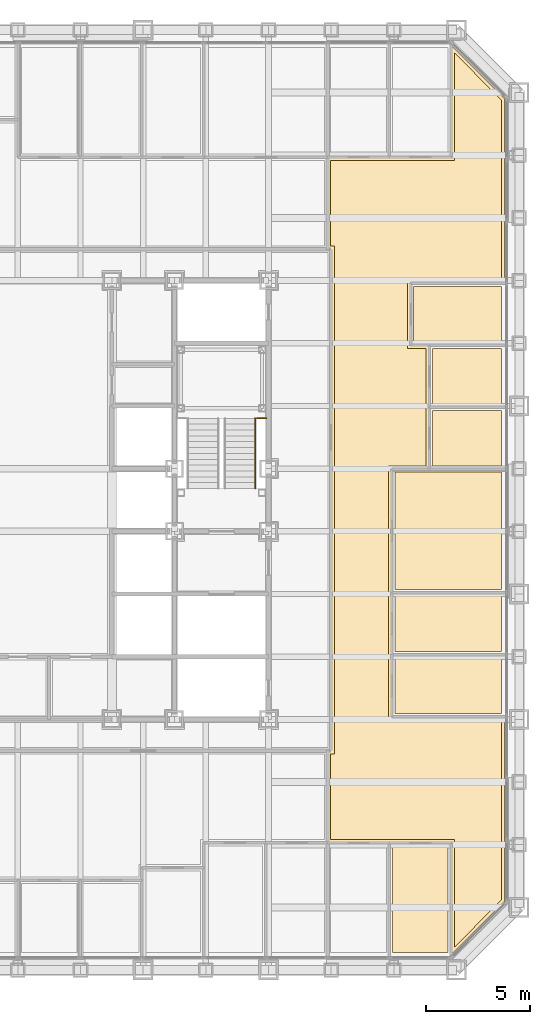
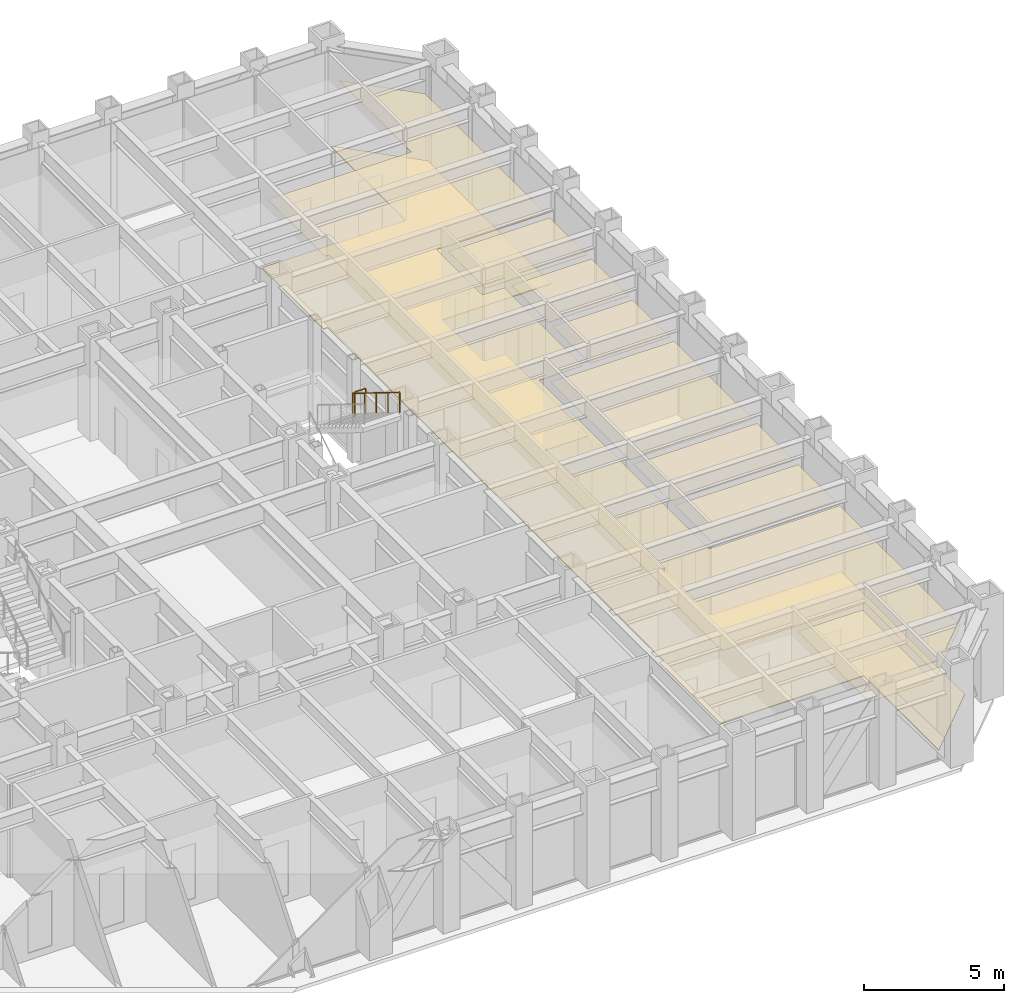
# One storey, part 15 of 16: 9 coverings, 2 railings.
"""IFC4 building model written with IfcOpenShell, lengths in metres."""

from ifc_helpers import new_model, si_unit, direction, frame, origin, origin_2d, place, context, subcontext, project, spatial, polyline, circle, outline, extrude, material, layer, layer_set, type_object, element, save


model = new_model("IFC4")

# Units and contexts
model_context = context("Model", 3, precision=1e-05, world=origin(), true_north=direction((0.0, 1.0)))
body_context = subcontext(model_context, "Body", "Model", "MODEL_VIEW")
ifc_project = project(units=[si_unit("LENGTHUNIT", "METRE"), si_unit("AREAUNIT", "SQUARE_METRE"), si_unit("VOLUMEUNIT", "CUBIC_METRE"), si_unit("PLANEANGLEUNIT", "RADIAN"), si_unit("MASSUNIT", "GRAM", prefix="KILO")], contexts=[model_context])

# Site, building, storey
site_placement = place(None, origin())
site = spatial("IfcSite", under=ifc_project, at=site_placement, CompositionType="ELEMENT")
building_placement = place(site_placement, origin())
building = spatial("IfcBuilding", under=site, at=building_placement, Name="Chuquiago Exchange Tower", CompositionType="ELEMENT")
storey_placement = place(building_placement, frame((0.0, 0.0, 73.800048828125)))
storey = spatial("IfcBuildingStorey", under=building, at=storey_placement, Name="L15", CompositionType="ELEMENT", Elevation=73.800048828125)

# Coverings
ifc_material_1 = material(Name="Mineral fibre tile, 600 x 600, on pale metal grid", Category="mineral fibre")
ifc_layer_1 = layer(ifc_material_1, 0.02001953125)
ifc_layer_set_1 = layer_set([ifc_layer_1], Name="CL1 suspended tile ceiling 20")
covering_type_1 = type_object("IfcCoveringType", Name="CL1 suspended tile ceiling 20", PredefinedType="CEILING", material=ifc_layer_set_1)
covering_1_placement = place(storey_placement, frame((0.0, 0.0, 3.0)))
element("IfcCovering", 1, at=covering_1_placement, inside=storey, type_object=covering_type_1, Name="Ceiling Office", PredefinedType="CEILING", context=body_context, shape_type="SweptSolid", body=[
    extrude(outline(polyline([(38.939697265625, 0.85009765625), (38.939697265625, 5.949951171875), (41.6015625, 5.949951171875), (41.6015625, 0.85009765625), (38.939697265625, 0.85009765625)])), origin(), (0.0, 0.0, 1.0), 0.02001953125),
])
covering_2_placement = place(storey_placement, frame((0.0, 0.0, 3.0)))
element("IfcCovering", 2, at=covering_2_placement, inside=storey, type_object=covering_type_1, Name="Ceiling Office", PredefinedType="CEILING", context=body_context, shape_type="SweptSolid", body=[
    extrude(outline(polyline([(39.050048828125, 12.28369140625), (39.050048828125, 14.945556640625), (44.14990234375, 14.945556640625), (44.14990234375, 12.28369140625), (39.050048828125, 12.28369140625)])), origin(), (0.0, 0.0, 1.0), 0.02001953125),
])
covering_3_placement = place(storey_placement, frame((0.0, 0.0, 3.0)))
element("IfcCovering", 3, at=covering_3_placement, inside=storey, type_object=covering_type_1, Name="Ceiling Office", PredefinedType="CEILING", context=body_context, shape_type="SweptSolid", body=[
    extrude(outline(polyline([(39.050048828125, 15.24560546875), (39.050048828125, 17.907470703125), (44.14990234375, 17.907470703125), (44.14990234375, 15.24560546875), (39.050048828125, 15.24560546875)])), origin(), (0.0, 0.0, 1.0), 0.02001953125),
])
covering_4_placement = place(storey_placement, frame((0.0, 0.0, 3.0)))
element("IfcCovering", 4, at=covering_4_placement, inside=storey, type_object=covering_type_1, Name="Ceiling Meeting room", PredefinedType="CEILING", context=body_context, shape_type="SweptSolid", body=[
    extrude(outline(polyline([(39.050048828125, 18.20751953125), (39.050048828125, 23.830810546875), (44.14990234375, 23.830810546875), (44.14990234375, 18.20751953125), (39.050048828125, 18.20751953125)])), origin(), (0.0, 0.0, 1.0), 0.02001953125),
])
covering_5_placement = place(storey_placement, frame((0.0, 0.0, 3.0)))
element("IfcCovering", 5, at=covering_5_placement, inside=storey, type_object=covering_type_1, Name="Ceiling Focus room", PredefinedType="CEILING", context=body_context, shape_type="SweptSolid", body=[
    extrude(outline(polyline([(40.85009765625, 24.130859375), (40.85009765625, 26.79248046875), (44.14990234375, 26.79248046875), (44.14990234375, 24.130859375), (40.85009765625, 24.130859375)])), origin(), (0.0, 0.0, 1.0), 0.02001953125),
])
covering_6_placement = place(storey_placement, frame((0.0, 0.0, 3.0)))
element("IfcCovering", 6, at=covering_6_placement, inside=storey, type_object=covering_type_1, Name="Ceiling Focus room", PredefinedType="CEILING", context=body_context, shape_type="SweptSolid", body=[
    extrude(outline(polyline([(40.85009765625, 27.092529296875), (40.85009765625, 29.75439453125), (44.14990234375, 29.75439453125), (44.14990234375, 27.092529296875), (40.85009765625, 27.092529296875)])), origin(), (0.0, 0.0, 1.0), 0.02001953125),
])
covering_7_placement = place(storey_placement, frame((0.0, 0.0, 3.0)))
element("IfcCovering", 7, at=covering_7_placement, inside=storey, type_object=covering_type_1, Name="Ceiling Comms room", PredefinedType="CEILING", context=body_context, shape_type="SweptSolid", body=[
    extrude(outline(polyline([(39.949951171875, 30.054443359375), (39.949951171875, 32.71630859375), (44.14990234375, 32.71630859375), (44.14990234375, 30.054443359375), (39.949951171875, 30.054443359375)])), origin(), (0.0, 0.0, 1.0), 0.02001953125),
])
covering_8_placement = place(storey_placement, frame((0.0, 0.0, 3.0)))
element("IfcCovering", 8, at=covering_8_placement, inside=storey, type_object=covering_type_1, Name="Ceiling Trading floor east suite", PredefinedType="CEILING", context=body_context, shape_type="SweptSolid", body=[
    extrude(outline(polyline([(41.901611328125, 38.75), (41.901611328125, 43.896484375), (44.14990234375, 41.64794921875), (44.14990234375, 33.01611328125), (39.64990234375, 33.01611328125), (39.64990234375, 29.75439453125), (40.550048828125, 29.75439453125), (40.550048828125, 24.130859375), (38.75, 24.130859375), (38.75, 11.98388671875), (44.14990234375, 11.98388671875), (44.14990234375, 3.35205078125), (41.901611328125, 1.103515625), (41.901611328125, 6.25), (35.978515625, 6.25), (35.978515625, 10.349853515625), (36.150390625, 10.350341796875), (36.150390625, 34.649658203125), (35.978515625, 34.650146484375), (35.978515625, 38.75), (41.901611328125, 38.75)])), origin(), (0.0, 0.0, 1.0), 0.02001953125),
])

# Railings
ifc_material_2 = material(Name="Pale metal guard with safety glass infill", Category="glass")
railing_type_1 = type_object("IfcRailingType", Name="GR1 guard 1100", PredefinedType="GUARDRAIL", material=ifc_material_2)
railing_1_placement = place(storey_placement, frame((32.445068359375, 26.409912109375, 2.25)))
element("IfcRailing", 9, at=railing_1_placement, inside=storey, type_object=railing_type_1, Name="Guard ST2 L15 landing 2", PredefinedType="GUARDRAIL", context=body_context, shape_type="SweptSolid", body=[
    extrude(circle(Radius=0.02392578125, at=origin_2d()), frame((0.0, 0.0, 1.076171875), z_axis=(1.0, 0.0, 0.0), x_axis=(0.0, 1.0, 0.0)), (0.0, 0.0, 1.0), 0.454833984375),
    extrude(circle(Radius=0.02099609375, at=origin_2d()), origin(), (0.0, 0.0, 1.0), 1.052001953125),
    extrude(circle(Radius=0.02099609375, at=origin_2d()), frame((0.454833984375, 0.0, 0.0)), (0.0, 0.0, 1.0), 1.052001953125),
])
ifc_material_3 = material(Name="Pale metal handrail", Category="steel")
railing_type_2 = type_object("IfcRailingType", Name="HR1 handrail 900", PredefinedType="HANDRAIL", material=ifc_material_3)
railing_2_placement = place(storey_placement, frame((32.364990234375, 26.409912109375, 2.423095703125)))
element("IfcRailing", 10, at=railing_2_placement, inside=storey, type_object=railing_type_2, Name="Handrail ST2 L15 flight 2", PredefinedType="HANDRAIL", context=body_context, shape_type="SweptSolid", body=[
    extrude(circle(Radius=0.02392578125, at=origin_2d()), frame((0.0, 0.0, 0.8759765625), z_axis=(0.0, -0.850606129759, 0.525803396734), x_axis=(1.0, 0.0, 0.0)), (0.0, 0.0, 1.0), 3.949951171875),
    extrude(circle(Radius=0.02099609375, at=origin_2d()), origin(), (0.0, 0.0, 1.0), 0.851806640625),
    extrude(circle(Radius=0.02099609375, at=origin_2d()), frame((0.0, -0.83984375, 0.519287109375)), (0.0, 0.0, 1.0), 0.851806640625),
    extrude(circle(Radius=0.02099609375, at=origin_2d()), frame((0.0, -1.679931640625, 1.03857421875)), (0.0, 0.0, 1.0), 0.851806640625),
    extrude(circle(Radius=0.02099609375, at=origin_2d()), frame((0.0, -2.52001953125, 1.5576171875)), (0.0, 0.0, 1.0), 0.851806640625),
    extrude(circle(Radius=0.02099609375, at=origin_2d()), frame((0.0, -3.35986328125, 2.076904296875)), (0.0, 0.0, 1.0), 0.851806640625),
])

# Covering
ifc_material_4 = material(Name="Steel raised floor panel", Category="steel")
ifc_layer_2 = layer(ifc_material_4, 0.0400390625)
ifc_layer_set_2 = layer_set([ifc_layer_2], Name="RF1 raised access floor 40")
covering_type_2 = type_object("IfcCoveringType", Name="RF1 raised access floor 40", PredefinedType="FLOORING", material=ifc_layer_set_2)
covering_9_placement = place(storey_placement, frame((0.0, 0.0, -0.0400390625)))
element("IfcCovering", 11, at=covering_9_placement, inside=storey, type_object=covering_type_2, Name="Raised access floor Trading floor east suite", PredefinedType="FLOORING", context=body_context, shape_type="SweptSolid", body=[
    extrude(outline(polyline([(35.828369140625, 38.89990234375), (41.75146484375, 38.89990234375), (41.75146484375, 44.258544921875), (44.300048828125, 41.710205078125), (44.300048828125, 32.8662109375), (39.800048828125, 32.8662109375), (39.800048828125, 29.904296875), (40.699951171875, 29.904296875), (40.699951171875, 23.98095703125), (38.89990234375, 23.98095703125), (38.89990234375, 12.1337890625), (44.300048828125, 12.1337890625), (44.300048828125, 3.289794921875), (41.75146484375, 0.741455078125), (41.75146484375, 6.10009765625), (35.828369140625, 6.10009765625), (35.828369140625, 10.49951171875), (36.00048828125, 10.5), (36.00048828125, 34.5), (35.828369140625, 34.50048828125), (35.828369140625, 38.89990234375)])), origin(), (0.0, 0.0, 1.0), 0.0400390625),
])

save(model, "model.ifc")
